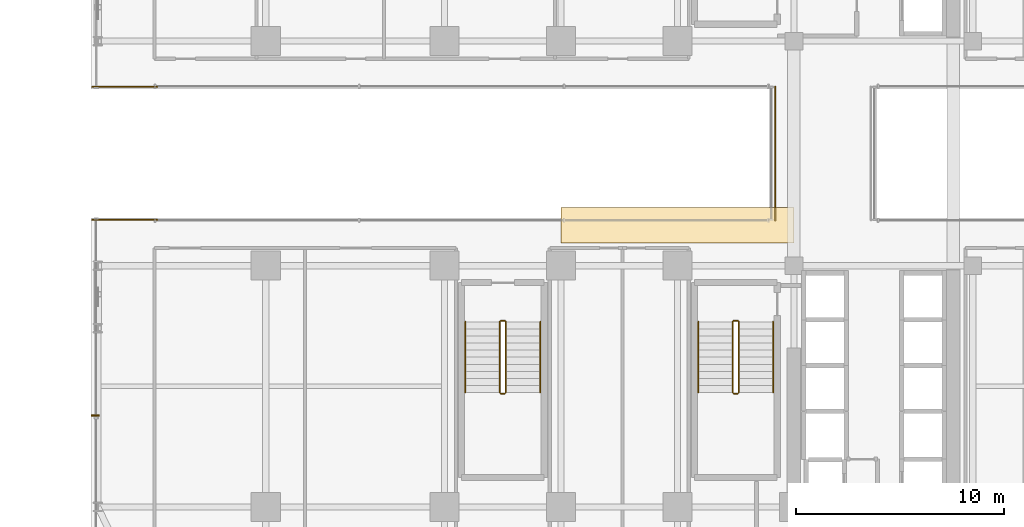
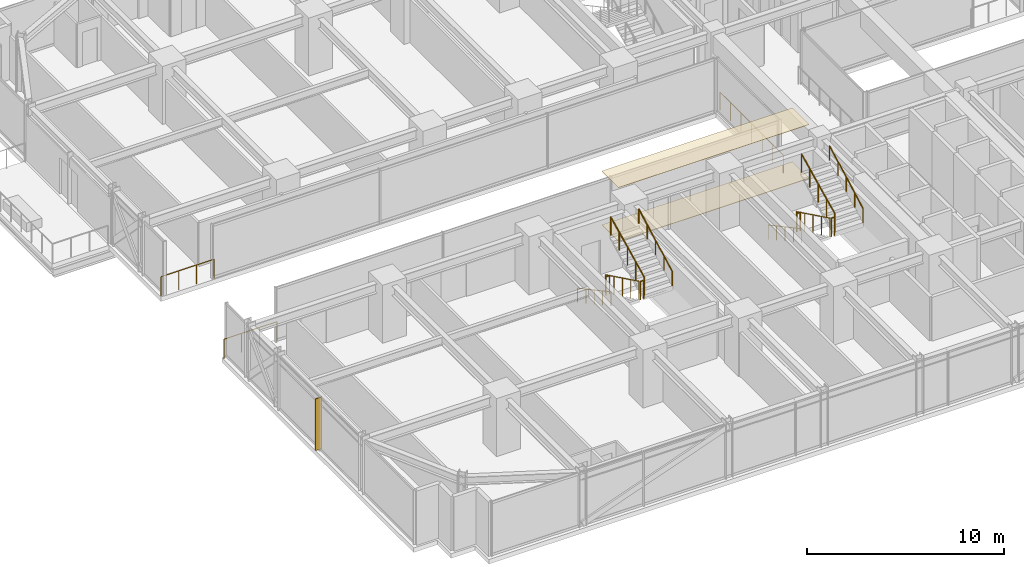
# One storey, part 39 of 42: 15 railings, 2 coverings, 1 shading device.
"""IFC4 building model written with IfcOpenShell, lengths in metres."""

from ifc_helpers import new_model, si_unit, direction, frame, origin, origin_2d, place, context, subcontext, project, spatial, polyline, rectangle, circle, outline, extrude, source, transform, mapped, material, layer, layer_set, type_object, element, save


model = new_model("IFC4")

# Units and contexts
model_context = context("Model", 3, precision=1e-05, world=origin(), true_north=direction((0.0, 1.0)))
body_context = subcontext(model_context, "Body", "Model", "MODEL_VIEW")
ifc_project = project(units=[si_unit("LENGTHUNIT", "METRE"), si_unit("AREAUNIT", "SQUARE_METRE"), si_unit("VOLUMEUNIT", "CUBIC_METRE"), si_unit("PLANEANGLEUNIT", "RADIAN"), si_unit("MASSUNIT", "GRAM", prefix="KILO")], contexts=[model_context])

# Site, building, storey
site_placement = place(None, origin())
site = spatial("IfcSite", under=ifc_project, at=site_placement, CompositionType="ELEMENT")
building_placement = place(site_placement, origin())
building = spatial("IfcBuilding", under=site, at=building_placement, Name="Nahalor Promenade Grand Hotel", CompositionType="ELEMENT")
storey_placement = place(building_placement, frame((0.0, 0.0, 61.60009765625)))
storey = spatial("IfcBuildingStorey", under=building, at=storey_placement, Name="L14", CompositionType="ELEMENT", Elevation=61.60009765625)

# Covering
ifc_material_1 = material(Name="Acoustic Mineral Gypsum", Category="gypsum")
ifc_layer_1 = layer(ifc_material_1, 0.02490234375)
ifc_layer_set_1 = layer_set([ifc_layer_1], Name="Acoustic Mineral Gypsum")
covering_type_1 = type_object("IfcCoveringType", Name="Acoustic Suspended Ceiling Tile", PredefinedType="CEILING", material=ifc_layer_set_1)
covering_1_placement = place(storey_placement, frame((0.0, 0.0, 3.344970703125)))
element("IfcCovering", 1, at=covering_1_placement, inside=storey, type_object=covering_type_1, Name="CV-CEIL-L14", PredefinedType="CEILING", context=body_context, shape_type="SweptSolid", body=[
    extrude(outline(polyline([(-2.800048828125, -4.300048828125), (8.39990234375, -4.300048828125), (8.39990234375, -2.60009765625), (-2.800048828125, -2.60009765625), (-2.800048828125, -4.300048828125)])), origin(), (0.0, 0.0, 1.0), 0.02490234375),
])

# Railings
ifc_material_2 = material(Name="Anodised Bronze Aluminium EN AW-6063 T6", Category="aluminium")
railing_type_1 = type_object("IfcRailingType", Name="Bronze Balcony Guardrail 1200 mm", PredefinedType="GUARDRAIL", material=ifc_material_2)
for number, where, name in (
    (2, (-25.340087890625, -3.199951171875, 0.0), "L14 Oculus Void Edge Guardrail WS"),
    (3, (-25.340087890625, 3.199951171875, 0.0), "L14 Oculus Void Edge Guardrail WN"),
):
    element("IfcRailing", number, at=place(storey_placement, frame(where)), inside=storey, type_object=railing_type_1, Name=name, PredefinedType="GUARDRAIL", context=body_context, shape_type="SweptSolid", body=[
        extrude(circle(Radius=0.024048, at=origin_2d()), frame((0.0, 0.0, 1.17578125), z_axis=(1.0, 0.0, 0.0), x_axis=(0.0, 1.0, 0.0)), (0.0, 0.0, 1.0), 3.1201171875),
        extrude(circle(Radius=0.020996, at=origin_2d()), origin(), (0.0, 0.0, 1.0), 1.14990234375),
        extrude(circle(Radius=0.020996, at=origin_2d()), frame((1.0400390625, 0.0, 0.0)), (0.0, 0.0, 1.0), 1.14990234375),
        extrude(circle(Radius=0.020996, at=origin_2d()), frame((2.080078125, 0.0, 0.0)), (0.0, 0.0, 1.0), 1.14990234375),
        extrude(circle(Radius=0.020996, at=origin_2d()), frame((3.1201171875, 0.0, 0.0)), (0.0, 0.0, 1.0), 1.14990234375),
    ])
railing_type_2 = type_object("IfcRailingType", Name="Bronze Sky Balustrade 1150 mm", PredefinedType="BALUSTRADE", material=ifc_material_2)
railing_1_placement = place(storey_placement, frame((7.5, -3.219970703125, 0.0)))
element("IfcRailing", 4, at=railing_1_placement, inside=storey, type_object=railing_type_2, Name="BL-L14-BRG-W", PredefinedType="BALUSTRADE", context=body_context, shape_type="SweptSolid", body=[
    extrude(circle(Radius=0.024048, at=origin_2d()), frame((0.0, 0.0, 1.1259765625), z_axis=(0.0, 1.0, 0.0), x_axis=(-1.0, 0.0, 0.0)), (0.0, 0.0, 1.0), 6.43994140625),
    extrude(circle(Radius=0.020996, at=origin_2d()), origin(), (0.0, 0.0, 1.0), 1.099853515625),
    extrude(circle(Radius=0.020996, at=origin_2d()), frame((0.0, 1.0732421875, 0.0)), (0.0, 0.0, 1.0), 1.099853515625),
    extrude(circle(Radius=0.020996, at=origin_2d()), frame((0.0, 2.146728515625, 0.0)), (0.0, 0.0, 1.0), 1.099853515625),
    extrude(circle(Radius=0.020996, at=origin_2d()), frame((0.0, 3.219970703125, 0.0)), (0.0, 0.0, 1.0), 1.099853515625),
    extrude(circle(Radius=0.020996, at=origin_2d()), frame((0.0, 4.293212890625, 0.0)), (0.0, 0.0, 1.0), 1.099853515625),
    extrude(circle(Radius=0.020996, at=origin_2d()), frame((0.0, 5.36669921875, 0.0)), (0.0, 0.0, 1.0), 1.099853515625),
    extrude(circle(Radius=0.020996, at=origin_2d()), frame((0.0, 6.43994140625, 0.0)), (0.0, 0.0, 1.0), 1.099853515625),
])

# Covering
ifc_material_3 = material(Name="Jerusalem Limestone Flooring", Category="masonry")
ifc_layer_2 = layer(ifc_material_3, 0.030029296875)
ifc_layer_set_2 = layer_set([ifc_layer_2], Name="Jerusalem Limestone Flooring")
covering_type_2 = type_object("IfcCoveringType", Name="Honed Limestone Floor Finish", PredefinedType="FLOORING", material=ifc_layer_set_2)
covering_2_placement = place(storey_placement, origin())
element("IfcCovering", 5, at=covering_2_placement, inside=storey, type_object=covering_type_2, Name="CV-FLOR-L14", PredefinedType="FLOORING", context=body_context, shape_type="SweptSolid", body=[
    extrude(outline(polyline([(-2.800048828125, -4.300048828125), (8.39990234375, -4.300048828125), (8.39990234375, -2.60009765625), (-2.800048828125, -2.60009765625), (-2.800048828125, -4.300048828125)])), origin(), (0.0, 0.0, 1.0), 0.02978515625),
])

# Railings
ifc_material_4 = material(Name="Steel S355JR", Category="steel")
railing_type_3 = type_object("IfcRailingType", Name="Steel Stair Guardrail 1150 mm", PredefinedType="GUARDRAIL", material=ifc_material_4)
railing_2_placement = place(storey_placement, frame((5.449951171875, -8.10009765625, 0.165771484375)))
element("IfcRailing", 6, at=railing_2_placement, inside=storey, type_object=railing_type_3, Name="L14 ST2 stair guard 1", PredefinedType="GUARDRAIL", context=body_context, shape_type="SweptSolid", body=[
    extrude(circle(Radius=0.024048, at=origin_2d()), frame((0.0, 0.0, 1.1259765625), z_axis=(0.0, -0.898696488221, 0.438571114028), x_axis=(1.0, 0.0, 0.0)), (0.0, 0.0, 1.0), 3.783203125),
    extrude(circle(Radius=0.020996, at=origin_2d()), origin(), (0.0, 0.0, 1.0), 1.099853515625),
    extrude(circle(Radius=0.020996, at=origin_2d()), frame((0.0, -0.85009765625, 0.414794921875)), (0.0, 0.0, 1.0), 1.099853515625),
    extrude(circle(Radius=0.020996, at=origin_2d()), frame((0.0, -1.699951171875, 0.82958984375)), (0.0, 0.0, 1.0), 1.099853515625),
    extrude(circle(Radius=0.020996, at=origin_2d()), frame((0.0, -2.5498046875, 1.244384765625)), (0.0, 0.0, 1.0), 1.099853515625),
    extrude(circle(Radius=0.020996, at=origin_2d()), frame((0.0, -3.39990234375, 1.6591796875)), (0.0, 0.0, 1.0), 1.099853515625),
])
railing_3_placement = place(storey_placement, frame((5.5, -11.550048828125, 1.824951171875)))
element("IfcRailing", 7, at=railing_3_placement, inside=storey, type_object=railing_type_3, Name="L14 ST2 stair guard 2", PredefinedType="GUARDRAIL", context=body_context, shape_type="SweptSolid", body=[
    extrude(circle(Radius=0.024048, at=origin_2d()), frame((0.0, 0.0, 1.1259765625), z_axis=(1.0, 0.0, 0.0), x_axis=(0.0, 1.0, 0.0)), (0.0, 0.0, 1.0), 0.199951171875),
    extrude(circle(Radius=0.020996, at=origin_2d()), origin(), (0.0, 0.0, 1.0), 1.099853515625),
    extrude(circle(Radius=0.020996, at=origin_2d()), frame((0.199951171875, 0.0, 0.0)), (0.0, 0.0, 1.0), 1.099853515625),
])
railing_4_placement = place(storey_placement, frame((5.75, -11.5, 1.99072265625)))
element("IfcRailing", 8, at=railing_4_placement, inside=storey, type_object=railing_type_3, Name="L14 ST2 stair guard 3", PredefinedType="GUARDRAIL", context=body_context, shape_type="SweptSolid", body=[
    extrude(circle(Radius=0.024048, at=origin_2d()), frame((0.0, 0.0, 1.1259765625), z_axis=(0.0, 0.898696488221, 0.438571114028), x_axis=(-1.0, 0.0, 0.0)), (0.0, 0.0, 1.0), 3.783203125),
    extrude(circle(Radius=0.020996, at=origin_2d()), origin(), (0.0, 0.0, 1.0), 1.099853515625),
    extrude(circle(Radius=0.020996, at=origin_2d()), frame((0.0, 0.85009765625, 0.414794921875)), (0.0, 0.0, 1.0), 1.099853515625),
    extrude(circle(Radius=0.020996, at=origin_2d()), frame((0.0, 1.699951171875, 0.82958984375)), (0.0, 0.0, 1.0), 1.099853515625),
    extrude(circle(Radius=0.020996, at=origin_2d()), frame((0.0, 2.5498046875, 1.244384765625)), (0.0, 0.0, 1.0), 1.099853515625),
    extrude(circle(Radius=0.020996, at=origin_2d()), frame((0.0, 3.39990234375, 1.6591796875)), (0.0, 0.0, 1.0), 1.099853515625),
])
railing_5_placement = place(storey_placement, frame((5.5, -8.050048828125, 0.0)))
element("IfcRailing", 9, at=railing_5_placement, inside=storey, type_object=railing_type_3, Name="L14 ST2 stair guard 4", PredefinedType="GUARDRAIL", context=body_context, shape_type="SweptSolid", body=[
    extrude(circle(Radius=0.024048, at=origin_2d()), frame((0.0, 0.0, 1.1259765625), z_axis=(1.0, 0.0, 0.0), x_axis=(0.0, 1.0, 0.0)), (0.0, 0.0, 1.0), 0.199951171875),
    extrude(circle(Radius=0.020996, at=origin_2d()), origin(), (0.0, 0.0, 1.0), 1.099853515625),
    extrude(circle(Radius=0.020996, at=origin_2d()), frame((0.199951171875, 0.0, 0.0)), (0.0, 0.0, 1.0), 1.099853515625),
])
railing_6_placement = place(storey_placement, frame((-5.75, -8.10009765625, 0.165771484375)))
element("IfcRailing", 10, at=railing_6_placement, inside=storey, type_object=railing_type_3, Name="L14 ST3 stair guard 1", PredefinedType="GUARDRAIL", context=body_context, shape_type="SweptSolid", body=[
    extrude(circle(Radius=0.024048, at=origin_2d()), frame((0.0, 0.0, 1.1259765625), z_axis=(0.0, -0.898696488221, 0.438571114028), x_axis=(1.0, 0.0, 0.0)), (0.0, 0.0, 1.0), 3.783203125),
    extrude(circle(Radius=0.020996, at=origin_2d()), origin(), (0.0, 0.0, 1.0), 1.099853515625),
    extrude(circle(Radius=0.020996, at=origin_2d()), frame((0.0, -0.85009765625, 0.414794921875)), (0.0, 0.0, 1.0), 1.099853515625),
    extrude(circle(Radius=0.020996, at=origin_2d()), frame((0.0, -1.699951171875, 0.82958984375)), (0.0, 0.0, 1.0), 1.099853515625),
    extrude(circle(Radius=0.020996, at=origin_2d()), frame((0.0, -2.5498046875, 1.244384765625)), (0.0, 0.0, 1.0), 1.099853515625),
    extrude(circle(Radius=0.020996, at=origin_2d()), frame((0.0, -3.39990234375, 1.6591796875)), (0.0, 0.0, 1.0), 1.099853515625),
])
railing_7_placement = place(storey_placement, frame((-5.699951171875, -11.550048828125, 1.824951171875)))
element("IfcRailing", 11, at=railing_7_placement, inside=storey, type_object=railing_type_3, Name="L14 ST3 stair guard 2", PredefinedType="GUARDRAIL", context=body_context, shape_type="SweptSolid", body=[
    extrude(circle(Radius=0.024048, at=origin_2d()), frame((0.0, 0.0, 1.1259765625), z_axis=(1.0, 0.0, 0.0), x_axis=(0.0, 1.0, 0.0)), (0.0, 0.0, 1.0), 0.199951171875),
    extrude(circle(Radius=0.020996, at=origin_2d()), origin(), (0.0, 0.0, 1.0), 1.099853515625),
    extrude(circle(Radius=0.020996, at=origin_2d()), frame((0.199951171875, 0.0, 0.0)), (0.0, 0.0, 1.0), 1.099853515625),
])
railing_8_placement = place(storey_placement, frame((-5.449951171875, -11.5, 1.99072265625)))
element("IfcRailing", 12, at=railing_8_placement, inside=storey, type_object=railing_type_3, Name="L14 ST3 stair guard 3", PredefinedType="GUARDRAIL", context=body_context, shape_type="SweptSolid", body=[
    extrude(circle(Radius=0.024048, at=origin_2d()), frame((0.0, 0.0, 1.1259765625), z_axis=(0.0, 0.898696488221, 0.438571114028), x_axis=(-1.0, 0.0, 0.0)), (0.0, 0.0, 1.0), 3.783203125),
    extrude(circle(Radius=0.020996, at=origin_2d()), origin(), (0.0, 0.0, 1.0), 1.099853515625),
    extrude(circle(Radius=0.020996, at=origin_2d()), frame((0.0, 0.85009765625, 0.414794921875)), (0.0, 0.0, 1.0), 1.099853515625),
    extrude(circle(Radius=0.020996, at=origin_2d()), frame((0.0, 1.699951171875, 0.82958984375)), (0.0, 0.0, 1.0), 1.099853515625),
    extrude(circle(Radius=0.020996, at=origin_2d()), frame((0.0, 2.5498046875, 1.244384765625)), (0.0, 0.0, 1.0), 1.099853515625),
    extrude(circle(Radius=0.020996, at=origin_2d()), frame((0.0, 3.39990234375, 1.6591796875)), (0.0, 0.0, 1.0), 1.099853515625),
])
railing_9_placement = place(storey_placement, frame((-5.699951171875, -8.050048828125, 0.0)))
element("IfcRailing", 13, at=railing_9_placement, inside=storey, type_object=railing_type_3, Name="L14 ST3 stair guard 4", PredefinedType="GUARDRAIL", context=body_context, shape_type="SweptSolid", body=[
    extrude(circle(Radius=0.024048, at=origin_2d()), frame((0.0, 0.0, 1.1259765625), z_axis=(1.0, 0.0, 0.0), x_axis=(0.0, 1.0, 0.0)), (0.0, 0.0, 1.0), 0.199951171875),
    extrude(circle(Radius=0.020996, at=origin_2d()), origin(), (0.0, 0.0, 1.0), 1.099853515625),
    extrude(circle(Radius=0.020996, at=origin_2d()), frame((0.199951171875, 0.0, 0.0)), (0.0, 0.0, 1.0), 1.099853515625),
])
railing_type_4 = type_object("IfcRailingType", Name="Steel Stair Handrail 900 mm", PredefinedType="HANDRAIL", material=ifc_material_4)
railing_10_placement = place(storey_placement, frame((3.800048828125, -8.10009765625, 0.165771484375)))
element("IfcRailing", 14, at=railing_10_placement, inside=storey, type_object=railing_type_4, Name="L14 ST2 stair handrail 1", PredefinedType="HANDRAIL", context=body_context, shape_type="SweptSolid", body=[
    extrude(circle(Radius=0.024048, at=origin_2d()), frame((0.0, 0.0, 0.8759765625), z_axis=(0.0, -0.881094038095, 0.47294111265), x_axis=(1.0, 0.0, 0.0)), (0.0, 0.0, 1.0), 3.858642578125),
    extrude(circle(Radius=0.020996, at=origin_2d()), origin(), (0.0, 0.0, 1.0), 0.849853515625),
    extrude(circle(Radius=0.020996, at=origin_2d()), frame((0.0, -0.85009765625, 0.456298828125)), (0.0, 0.0, 1.0), 0.849853515625),
    extrude(circle(Radius=0.020996, at=origin_2d()), frame((0.0, -1.699951171875, 0.91259765625)), (0.0, 0.0, 1.0), 0.849853515625),
    extrude(circle(Radius=0.020996, at=origin_2d()), frame((0.0, -2.5498046875, 1.36865234375)), (0.0, 0.0, 1.0), 0.849853515625),
    extrude(circle(Radius=0.020996, at=origin_2d()), frame((0.0, -3.39990234375, 1.824951171875)), (0.0, 0.0, 1.0), 0.849853515625),
])
railing_11_placement = place(storey_placement, frame((7.39990234375, -11.5, 1.99072265625)))
element("IfcRailing", 15, at=railing_11_placement, inside=storey, type_object=railing_type_4, Name="L14 ST2 stair handrail 2", PredefinedType="HANDRAIL", context=body_context, shape_type="SweptSolid", body=[
    extrude(circle(Radius=0.024048, at=origin_2d()), frame((0.0, 0.0, 0.8759765625), z_axis=(0.0, 0.881067672671, 0.472990228413), x_axis=(-1.0, 0.0, 0.0)), (0.0, 0.0, 1.0), 3.85888671875),
    extrude(circle(Radius=0.020996, at=origin_2d()), origin(), (0.0, 0.0, 1.0), 0.849853515625),
    extrude(circle(Radius=0.020996, at=origin_2d()), frame((0.0, 0.85009765625, 0.456298828125)), (0.0, 0.0, 1.0), 0.849853515625),
    extrude(circle(Radius=0.020996, at=origin_2d()), frame((0.0, 1.699951171875, 0.91259765625)), (0.0, 0.0, 1.0), 0.849853515625),
    extrude(circle(Radius=0.020996, at=origin_2d()), frame((0.0, 2.5498046875, 1.368896484375)), (0.0, 0.0, 1.0), 0.849853515625),
    extrude(circle(Radius=0.020996, at=origin_2d()), frame((0.0, 3.39990234375, 1.8251953125)), (0.0, 0.0, 1.0), 0.849853515625),
])
railing_12_placement = place(storey_placement, frame((-7.39990234375, -8.10009765625, 0.165771484375)))
element("IfcRailing", 16, at=railing_12_placement, inside=storey, type_object=railing_type_4, Name="L14 ST3 stair handrail 1", PredefinedType="HANDRAIL", context=body_context, shape_type="SweptSolid", body=[
    extrude(circle(Radius=0.024048, at=origin_2d()), frame((0.0, 0.0, 0.8759765625), z_axis=(0.0, -0.881094038095, 0.47294111265), x_axis=(1.0, 0.0, 0.0)), (0.0, 0.0, 1.0), 3.858642578125),
    extrude(circle(Radius=0.020996, at=origin_2d()), origin(), (0.0, 0.0, 1.0), 0.849853515625),
    extrude(circle(Radius=0.020996, at=origin_2d()), frame((0.0, -0.85009765625, 0.456298828125)), (0.0, 0.0, 1.0), 0.849853515625),
    extrude(circle(Radius=0.020996, at=origin_2d()), frame((0.0, -1.699951171875, 0.91259765625)), (0.0, 0.0, 1.0), 0.849853515625),
    extrude(circle(Radius=0.020996, at=origin_2d()), frame((0.0, -2.5498046875, 1.36865234375)), (0.0, 0.0, 1.0), 0.849853515625),
    extrude(circle(Radius=0.020996, at=origin_2d()), frame((0.0, -3.39990234375, 1.824951171875)), (0.0, 0.0, 1.0), 0.849853515625),
])
railing_13_placement = place(storey_placement, frame((-3.800048828125, -11.5, 1.99072265625)))
element("IfcRailing", 17, at=railing_13_placement, inside=storey, type_object=railing_type_4, Name="L14 ST3 stair handrail 2", PredefinedType="HANDRAIL", context=body_context, shape_type="SweptSolid", body=[
    extrude(circle(Radius=0.024048, at=origin_2d()), frame((0.0, 0.0, 0.8759765625), z_axis=(0.0, 0.881067672671, 0.472990228413), x_axis=(-1.0, 0.0, 0.0)), (0.0, 0.0, 1.0), 3.85888671875),
    extrude(circle(Radius=0.020996, at=origin_2d()), origin(), (0.0, 0.0, 1.0), 0.849853515625),
    extrude(circle(Radius=0.020996, at=origin_2d()), frame((0.0, 0.85009765625, 0.456298828125)), (0.0, 0.0, 1.0), 0.849853515625),
    extrude(circle(Radius=0.020996, at=origin_2d()), frame((0.0, 1.699951171875, 0.91259765625)), (0.0, 0.0, 1.0), 0.849853515625),
    extrude(circle(Radius=0.020996, at=origin_2d()), frame((0.0, 2.5498046875, 1.368896484375)), (0.0, 0.0, 1.0), 0.849853515625),
    extrude(circle(Radius=0.020996, at=origin_2d()), frame((0.0, 3.39990234375, 1.8251953125)), (0.0, 0.0, 1.0), 0.849853515625),
])

# Shading device
ifc_layer_3 = layer(ifc_material_2, 0.06005859375)
ifc_layer_set_3 = layer_set([ifc_layer_3], Name="Anodised Bronze Aluminium EN AW-6063 T6")
shading_device_type = type_object("IfcShadingDeviceType", Name="Shade-SolarFin-Bronze", PredefinedType="JALOUSIE", material=ifc_layer_set_3)
shared_shape = source(origin(), body_context, "Body", "SweptSolid", [
    extrude(rectangle(XDim=0.3798828125, YDim=0.06005859375, at=origin_2d()), origin(), (0.0, 0.0, 1.0), 3.199951171875),
])
shading_device_placement = place(storey_placement, frame((-25.2099609375, -12.60009765625, 0.0), z_axis=(0.0, 0.0, 1.0), x_axis=(1.0, 0.0, 0.0)))
element("IfcShadingDevice", 18, at=shading_device_placement, inside=storey, type_object=shading_device_type, Name="JAL-L14-W1", PredefinedType="JALOUSIE", context=body_context, shape_type="MappedRepresentation", body=[
    mapped(shared_shape, transform((0.0, 0.0, 0.0), scale=1.0)),
])

save(model, "model.ifc")
